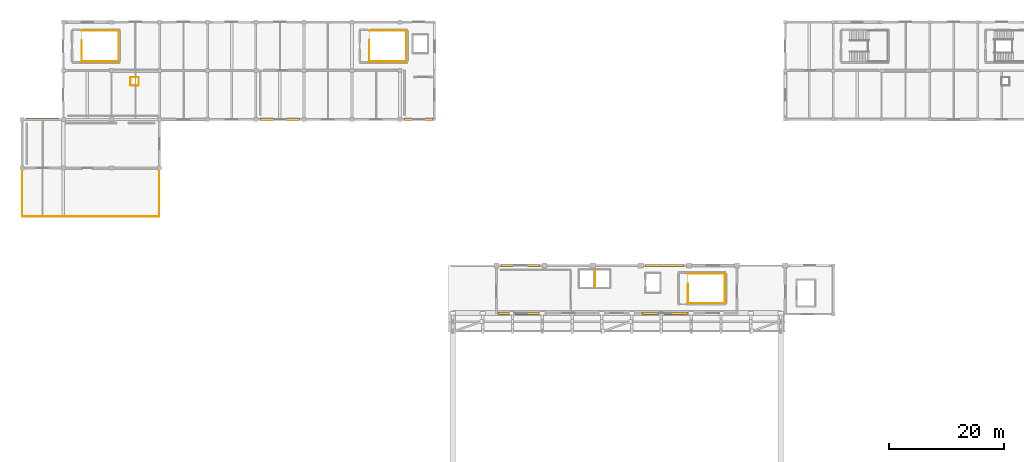
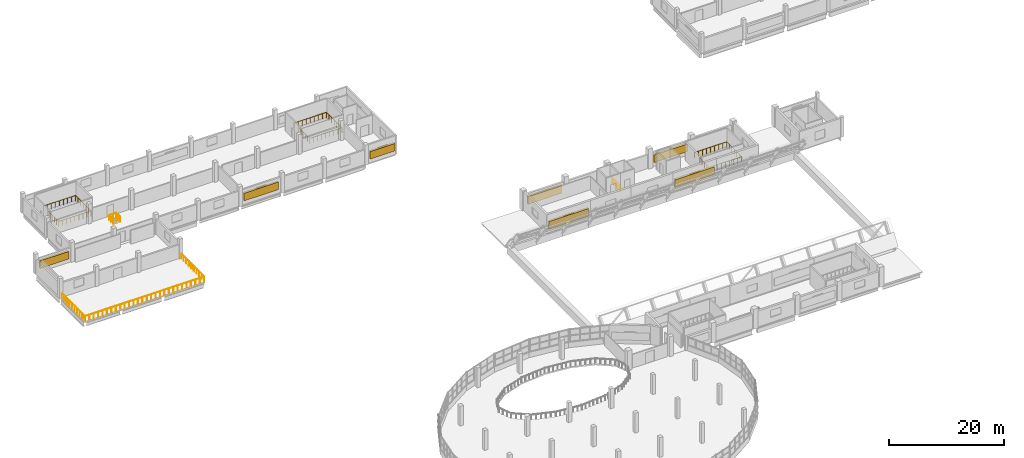
# One storey, part 49 of 52: 7 coverings, 7 railings.
"""IFC4 building model written with IfcOpenShell, lengths in metres."""

import ifcopenshell
import ifcopenshell.guid

model = None  # the IFC model being written
_history = None  # IfcOwnerHistory: only IFC2X3 demands one
_inside = {}  # id of a spatial element -> (the spatial element, [elements in it])
_under = {}  # id of a project, library or spatial element -> (it, [spatial elements below it])
_declared = {}  # id of a project -> (the project, [libraries it declares])
_typed = {}  # id of a type object -> (the type object, [elements of that type])
_made_of = {}  # id of a material, layer set ... -> (it, [elements and type objects made of it])


def new_model(schema):
    """Start an empty IFC model of exactly this schema.

    Asked for "IFC4X3", IfcOpenShell would pick the latest addendum, in which some entities
    have other attributes; the version numbers below select the first issue.
    IFC2X3 requires an IfcOwnerHistory on every rooted entity: one is made here for all.
    """
    global model, _history
    if schema == "IFC4X3":
        model = ifcopenshell.file(schema_version=(4, 3, 0, 0))
    else:
        model = ifcopenshell.file(schema=schema)
    _inside.clear()
    _under.clear()
    _declared.clear()
    _typed.clear()
    _made_of.clear()
    _history = None
    if model.schema == "IFC2X3":
        org = make("IfcOrganization", Name="unknown")
        user = make(
            "IfcPersonAndOrganization",
            ThePerson=make("IfcPerson", FamilyName="unknown"),
            TheOrganization=org,
        )
        app = make(
            "IfcApplication",
            ApplicationDeveloper=org,
            Version="unknown",
            ApplicationFullName="unknown",
            ApplicationIdentifier="unknown",
        )
        _history = make(
            "IfcOwnerHistory",
            OwningUser=user,
            OwningApplication=app,
            ChangeAction="ADDED",
            CreationDate=0,
        )
    return model


def make(cls, **values):
    """One entity of the class cls with the attributes given. An attribute that is None is left unset."""
    return model.create_entity(
        cls, **{name: value for name, value in values.items() if value is not None}
    )


def rooted(cls, **values):
    """An entity with a GlobalId (a new one), such as an element, a storey or a relation."""
    return make(cls, GlobalId=ifcopenshell.guid.new(), OwnerHistory=_history, **values)


def si_unit(unit_type, name, prefix=None):
    """IfcSIUnit, for example si_unit("LENGTHUNIT", "METRE", prefix="MILLI")."""
    return make("IfcSIUnit", UnitType=unit_type, Prefix=prefix, Name=name)


def assignment(units):
    """IfcUnitAssignment: the units of a project."""
    return None if units is None else make("IfcUnitAssignment", Units=units)


def point(xyz):
    """IfcCartesianPoint."""
    return None if xyz is None else make("IfcCartesianPoint", Coordinates=xyz)


def direction(xyz):
    """IfcDirection."""
    return None if xyz is None else make("IfcDirection", DirectionRatios=xyz)


def frame(location, z_axis=None, x_axis=None):
    """IfcAxis2Placement3D, a coordinate frame: its origin and axes. An axis left out is left unset."""
    return make(
        "IfcAxis2Placement3D",
        Location=point(location),
        Axis=direction(z_axis),
        RefDirection=direction(x_axis),
    )


def frame_2d(location, x_axis=None):
    """IfcAxis2Placement2D, a coordinate frame in the plane: its origin and x axis."""
    return make(
        "IfcAxis2Placement2D", Location=point(location), RefDirection=direction(x_axis)
    )


def origin():
    """The frame at (0, 0, 0) with its axes left unset."""
    return frame((0.0, 0.0, 0.0))


def origin_2d():
    """The frame at (0, 0) in the plane with its x axis left unset."""
    return frame_2d((0.0, 0.0))


def place(relative_to, where):
    """IfcLocalPlacement: puts the frame where relative to a parent placement (None: the world)."""
    return make(
        "IfcLocalPlacement", PlacementRelTo=relative_to, RelativePlacement=where
    )


def context(
    kind, dimensions, precision=None, world=None, true_north=None, identifier=None
):
    """IfcGeometricRepresentationContext, for example the 3D "Model" context."""
    return make(
        "IfcGeometricRepresentationContext",
        ContextIdentifier=identifier,
        ContextType=kind,
        CoordinateSpaceDimension=dimensions,
        Precision=precision,
        WorldCoordinateSystem=world,
        TrueNorth=true_north,
    )


def subcontext(parent, identifier, kind, view, scale=None):
    """IfcGeometricRepresentationSubContext, for example "Body" below "Model"."""
    return make(
        "IfcGeometricRepresentationSubContext",
        ContextIdentifier=identifier,
        ContextType=kind,
        ParentContext=parent,
        TargetScale=scale,
        TargetView=view,
    )


def project(units=None, contexts=None):
    """IfcProject with its units and contexts."""
    return rooted(
        "IfcProject",
        Name="project",
        RepresentationContexts=contexts,
        UnitsInContext=assignment(units),
    )


def spatial(cls, under=None, at=None, **own):
    """A site, building, storey or space (cls), placed at a placement, below another one or the project."""
    s = rooted(cls, ObjectPlacement=at, **own)
    if under is not None:
        _under.setdefault(under.id(), (under, []))[1].append(s)
    return s


def profile(cls, at=None, kind="AREA", **sizes):
    """A parametric profile (cls). Its sizes go by their IFC names, for example OverallWidth=200.0."""
    return make(cls, ProfileType=kind, Position=at, **sizes)


def rectangle(**sizes):
    """IfcRectangleProfileDef."""
    return profile("IfcRectangleProfileDef", **sizes)


def circle(**sizes):
    """IfcCircleProfileDef."""
    return profile("IfcCircleProfileDef", **sizes)


def extrude(swept, where, along, depth):
    """IfcExtrudedAreaSolid: the profile swept, set in the frame where, extruded along a direction by depth."""
    return make(
        "IfcExtrudedAreaSolid",
        SweptArea=swept,
        Position=where,
        ExtrudedDirection=direction(along),
        Depth=depth,
    )


def shape(context_of_items, identifier, shape_type, items):
    """IfcShapeRepresentation: the items that make up one representation, for example the "Body"."""
    return make(
        "IfcShapeRepresentation",
        ContextOfItems=context_of_items,
        RepresentationIdentifier=identifier,
        RepresentationType=shape_type,
        Items=items,
    )


def material(Name=None, Category=None):
    """IfcMaterial."""
    return make("IfcMaterial", Name=Name, Category=Category)


def layer(
    of_material, thickness, ventilated=None, Name=None, Category=None, Priority=None
):
    """IfcMaterialLayer: one layer of a wall or slab, of a material (None: an air gap)."""
    return make(
        "IfcMaterialLayer",
        Material=of_material,
        LayerThickness=thickness,
        IsVentilated=ventilated,
        Name=Name,
        Category=Category,
        Priority=Priority,
    )


def layer_set(layers, Name=None):
    """IfcMaterialLayerSet."""
    return make("IfcMaterialLayerSet", MaterialLayers=layers, LayerSetName=Name)


def made_of(thing, what):
    """Note that an element or type object is made of a material, layer set ...; save() writes the relation."""
    if what is not None:
        _made_of.setdefault(what.id(), (what, []))[1].append(thing)
    return thing


def type_object(cls, material=None, **own):
    """A type object (cls), such as IfcWallType, which elements share."""
    return made_of(rooted(cls, **own), material)


def element(
    cls,
    number,
    at=None,
    inside=None,
    cuts=None,
    type_object=None,
    material=None,
    context=None,
    identifier="Body",
    shape_type=None,
    held_by="IfcProductDefinitionShape",
    body=None,
    shapes=None,
    **own,
):
    """One element of the class cls, such as IfcWall. Its Tag is "e" and its number.

    at: its placement. inside: the storey or other place that contains it. cuts: it is an
    opening in that element (IfcRelVoidsElement). A single representation is given by context,
    identifier, shape_type and body (its items); several are given by shapes. held_by: the class
    of the entity that holds the representations. save() writes the other relations.
    """
    e = rooted(cls, Tag="e%d" % number, ObjectPlacement=at, **own)
    if body is not None:
        shapes = [shape(context, identifier, shape_type, body)]
    if shapes is not None:
        e.Representation = make(held_by, Representations=shapes)
    if inside is not None:
        _inside.setdefault(inside.id(), (inside, []))[1].append(e)
    if cuts is not None:
        rooted(
            "IfcRelVoidsElement", RelatingBuildingElement=cuts, RelatedOpeningElement=e
        )
    if type_object is not None:
        _typed.setdefault(type_object.id(), (type_object, []))[1].append(e)
    return made_of(e, material)


def aggregate(whole, parts):
    """IfcRelAggregates: a whole, such as a stair, and the parts it consists of."""
    return rooted("IfcRelAggregates", RelatingObject=whole, RelatedObjects=parts)


def save(model, path):
    """Write the relations noted so far, then the file.

    IfcRelAggregates (storeys below a building ...), IfcRelContainedInSpatialStructure (elements
    in a storey), IfcRelDefinesByType, IfcRelAssociatesMaterial and IfcRelDeclares: one each for
    every whole, place, type object, material and project.
    """
    for whole, parts in _under.values():
        aggregate(whole, parts)
    for where, things in _inside.values():
        rooted(
            "IfcRelContainedInSpatialStructure",
            RelatedElements=things,
            RelatingStructure=where,
        )
    for kind, things in _typed.values():
        rooted("IfcRelDefinesByType", RelatedObjects=things, RelatingType=kind)
    for what, things in _made_of.values():
        rooted("IfcRelAssociatesMaterial", RelatedObjects=things, RelatingMaterial=what)
    for by, libraries in _declared.values():
        rooted("IfcRelDeclares", RelatingContext=by, RelatedDefinitions=libraries)
    model.write(path)


model = new_model("IFC4")

# Units and contexts
model_context = context("Model", 3, precision=1e-05, world=origin(), true_north=direction((0.0, 1.0)))
body_context = subcontext(model_context, "Body", "Model", "MODEL_VIEW")
ifc_project = project(units=[si_unit("LENGTHUNIT", "METRE"), si_unit("AREAUNIT", "SQUARE_METRE"), si_unit("VOLUMEUNIT", "CUBIC_METRE"), si_unit("PLANEANGLEUNIT", "RADIAN"), si_unit("MASSUNIT", "GRAM", prefix="KILO")], contexts=[model_context])

# Site, building, storey
site_placement = place(None, origin())
site = spatial("IfcSite", under=ifc_project, at=site_placement, CompositionType="ELEMENT")
building_placement = place(site_placement, origin())
building = spatial("IfcBuilding", under=site, at=building_placement, Name="Solvento Point Concert Hall", CompositionType="ELEMENT")
storey_placement = place(building_placement, frame((0.0, 0.0, 19.5)))
storey = spatial("IfcBuildingStorey", under=building, at=storey_placement, Name="L04", CompositionType="ELEMENT", Elevation=19.5)

# Railings
ifc_material_1 = material(Name="Brushed Stainless Steel Balustrade", Category="steel")
railing_type_1 = type_object("IfcRailingType", Name="StairWellGuard_1100", PredefinedType="BALUSTRADE", material=ifc_material_1)
railing_1_placement = place(storey_placement, frame((116.219970703125, 90.340087890625, 0.0)))
element("IfcRailing", 1, at=railing_1_placement, inside=storey, type_object=railing_type_1, Name="Stairwell guard GR-02 ST-03 L04", PredefinedType="BALUSTRADE", context=body_context, shape_type="SweptSolid", body=[
    extrude(circle(Radius=0.02392578125, at=origin_2d()), frame((0.0, 0.0, 1.09619140625), z_axis=(0.0, -1.0, 0.0), x_axis=(1.0, 0.0, 0.0)), (0.0, 0.0, 1.0), 3.420166015625),
    extrude(circle(Radius=0.02392578125, at=origin_2d()), frame((0.0, -3.420166015625, 1.09619140625), z_axis=(1.0, 0.0, 0.0), x_axis=(0.0, 1.0, 0.0)), (0.0, 0.0, 1.0), 6.4599609375),
    extrude(circle(Radius=0.02392578125, at=origin_2d()), frame((6.4599609375, -3.420166015625, 1.09619140625), z_axis=(0.0, 1.0, 0.0), x_axis=(-1.0, 0.0, 0.0)), (0.0, 0.0, 1.0), 5.16015625),
    extrude(circle(Radius=0.02392578125, at=origin_2d()), frame((6.4599609375, 1.739990234375, 1.09619140625), z_axis=(-1.0, 0.0, 0.0), x_axis=(0.0, -1.0, 0.0)), (0.0, 0.0, 1.0), 6.4599609375),
    extrude(circle(Radius=0.02392578125, at=origin_2d()), frame((0.0, 1.739990234375, 1.09619140625), z_axis=(0.0, 1.0, 0.0), x_axis=(-1.0, 0.0, 0.0)), (0.0, 0.0, 1.0), 0.02001953125),
    extrude(circle(Radius=0.02099609375, at=origin_2d()), origin(), (0.0, 0.0, 1.0), 1.072021484375),
    extrude(circle(Radius=0.02099609375, at=origin_2d()), frame((0.0, -0.85498046875, 0.0)), (0.0, 0.0, 1.0), 1.072021484375),
    extrude(circle(Radius=0.02099609375, at=origin_2d()), frame((0.0, -1.7099609375, 0.0)), (0.0, 0.0, 1.0), 1.072021484375),
    extrude(circle(Radius=0.02099609375, at=origin_2d()), frame((0.0, -2.565185546875, 0.0)), (0.0, 0.0, 1.0), 1.072021484375),
    extrude(circle(Radius=0.02099609375, at=origin_2d()), frame((0.0, -3.420166015625, 0.0)), (0.0, 0.0, 1.0), 1.072021484375),
    extrude(circle(Radius=0.02099609375, at=origin_2d()), frame((0.8076171875, -3.420166015625, 0.0)), (0.0, 0.0, 1.0), 1.072021484375),
    extrude(circle(Radius=0.02099609375, at=origin_2d()), frame((1.614990234375, -3.420166015625, 0.0)), (0.0, 0.0, 1.0), 1.072021484375),
    extrude(circle(Radius=0.02099609375, at=origin_2d()), frame((2.42236328125, -3.420166015625, 0.0)), (0.0, 0.0, 1.0), 1.072021484375),
    extrude(circle(Radius=0.02099609375, at=origin_2d()), frame((3.22998046875, -3.420166015625, 0.0)), (0.0, 0.0, 1.0), 1.072021484375),
    extrude(circle(Radius=0.02099609375, at=origin_2d()), frame((4.03759765625, -3.420166015625, 0.0)), (0.0, 0.0, 1.0), 1.072021484375),
    extrude(circle(Radius=0.02099609375, at=origin_2d()), frame((4.844970703125, -3.420166015625, 0.0)), (0.0, 0.0, 1.0), 1.072021484375),
    extrude(circle(Radius=0.02099609375, at=origin_2d()), frame((5.65234375, -3.420166015625, 0.0)), (0.0, 0.0, 1.0), 1.072021484375),
    extrude(circle(Radius=0.02099609375, at=origin_2d()), frame((6.4599609375, -3.420166015625, 0.0)), (0.0, 0.0, 1.0), 1.072021484375),
    extrude(circle(Radius=0.02099609375, at=origin_2d()), frame((6.4599609375, -2.56005859375, 0.0)), (0.0, 0.0, 1.0), 1.072021484375),
    extrude(circle(Radius=0.02099609375, at=origin_2d()), frame((6.4599609375, -1.7001953125, 0.0)), (0.0, 0.0, 1.0), 1.072021484375),
    extrude(circle(Radius=0.02099609375, at=origin_2d()), frame((6.4599609375, -0.840087890625, 0.0)), (0.0, 0.0, 1.0), 1.072021484375),
    extrude(circle(Radius=0.02099609375, at=origin_2d()), frame((6.4599609375, 0.02001953125, 0.0)), (0.0, 0.0, 1.0), 1.072021484375),
    extrude(circle(Radius=0.02099609375, at=origin_2d()), frame((6.4599609375, 0.8798828125, 0.0)), (0.0, 0.0, 1.0), 1.072021484375),
    extrude(circle(Radius=0.02099609375, at=origin_2d()), frame((6.4599609375, 1.739990234375, 0.0)), (0.0, 0.0, 1.0), 1.072021484375),
    extrude(circle(Radius=0.02099609375, at=origin_2d()), frame((5.65234375, 1.739990234375, 0.0)), (0.0, 0.0, 1.0), 1.072021484375),
    extrude(circle(Radius=0.02099609375, at=origin_2d()), frame((4.844970703125, 1.739990234375, 0.0)), (0.0, 0.0, 1.0), 1.072021484375),
    extrude(circle(Radius=0.02099609375, at=origin_2d()), frame((4.03759765625, 1.739990234375, 0.0)), (0.0, 0.0, 1.0), 1.072021484375),
    extrude(circle(Radius=0.02099609375, at=origin_2d()), frame((3.22998046875, 1.739990234375, 0.0)), (0.0, 0.0, 1.0), 1.072021484375),
    extrude(circle(Radius=0.02099609375, at=origin_2d()), frame((2.42236328125, 1.739990234375, 0.0)), (0.0, 0.0, 1.0), 1.072021484375),
    extrude(circle(Radius=0.02099609375, at=origin_2d()), frame((1.614990234375, 1.739990234375, 0.0)), (0.0, 0.0, 1.0), 1.072021484375),
    extrude(circle(Radius=0.02099609375, at=origin_2d()), frame((0.8076171875, 1.739990234375, 0.0)), (0.0, 0.0, 1.0), 1.072021484375),
    extrude(circle(Radius=0.02099609375, at=origin_2d()), frame((0.0, 1.739990234375, 0.0)), (0.0, 0.0, 1.0), 1.072021484375),
    extrude(circle(Radius=0.02099609375, at=origin_2d()), frame((0.0, 1.760009765625, 0.0)), (0.0, 0.0, 1.0), 1.072021484375),
])
railing_2_placement = place(storey_placement, frame((60.6201171875, 132.89990234375, 0.0)))
element("IfcRailing", 2, at=railing_2_placement, inside=storey, type_object=railing_type_1, Name="Stairwell guard GR-02 ST-04 L04", PredefinedType="BALUSTRADE", context=body_context, shape_type="SweptSolid", body=[
    extrude(circle(Radius=0.02392578125, at=origin_2d()), frame((0.0, 0.0, 1.09619140625), z_axis=(0.0, -1.0, 0.0), x_axis=(1.0, 0.0, 0.0)), (0.0, 0.0, 1.0), 3.77978515625),
    extrude(circle(Radius=0.02392578125, at=origin_2d()), frame((0.0, -3.77978515625, 1.09619140625), z_axis=(1.0, 0.0, 0.0), x_axis=(0.0, 1.0, 0.0)), (0.0, 0.0, 1.0), 6.4599609375),
    extrude(circle(Radius=0.02392578125, at=origin_2d()), frame((6.4599609375, -3.77978515625, 1.09619140625), z_axis=(0.0, 1.0, 0.0), x_axis=(-1.0, 0.0, 0.0)), (0.0, 0.0, 1.0), 5.35986328125),
    extrude(circle(Radius=0.02392578125, at=origin_2d()), frame((6.4599609375, 1.580078125, 1.09619140625), z_axis=(-1.0, 0.0, 0.0), x_axis=(0.0, -1.0, 0.0)), (0.0, 0.0, 1.0), 6.4599609375),
    extrude(circle(Radius=0.02392578125, at=origin_2d()), frame((0.0, 1.580078125, 1.09619140625), z_axis=(0.0, 1.0, 0.0), x_axis=(-1.0, 0.0, 0.0)), (0.0, 0.0, 1.0), 0.02001953125),
    extrude(circle(Radius=0.02099609375, at=origin_2d()), origin(), (0.0, 0.0, 1.0), 1.072021484375),
    extrude(circle(Radius=0.02099609375, at=origin_2d()), frame((0.0, -0.755859375, 0.0)), (0.0, 0.0, 1.0), 1.072021484375),
    extrude(circle(Radius=0.02099609375, at=origin_2d()), frame((0.0, -1.511962890625, 0.0)), (0.0, 0.0, 1.0), 1.072021484375),
    extrude(circle(Radius=0.02099609375, at=origin_2d()), frame((0.0, -2.267822265625, 0.0)), (0.0, 0.0, 1.0), 1.072021484375),
    extrude(circle(Radius=0.02099609375, at=origin_2d()), frame((0.0, -3.02392578125, 0.0)), (0.0, 0.0, 1.0), 1.072021484375),
    extrude(circle(Radius=0.02099609375, at=origin_2d()), frame((0.0, -3.77978515625, 0.0)), (0.0, 0.0, 1.0), 1.072021484375),
    extrude(circle(Radius=0.02099609375, at=origin_2d()), frame((0.8076171875, -3.77978515625, 0.0)), (0.0, 0.0, 1.0), 1.072021484375),
    extrude(circle(Radius=0.02099609375, at=origin_2d()), frame((1.614990234375, -3.77978515625, 0.0)), (0.0, 0.0, 1.0), 1.072021484375),
    extrude(circle(Radius=0.02099609375, at=origin_2d()), frame((2.42236328125, -3.77978515625, 0.0)), (0.0, 0.0, 1.0), 1.072021484375),
    extrude(circle(Radius=0.02099609375, at=origin_2d()), frame((3.22998046875, -3.77978515625, 0.0)), (0.0, 0.0, 1.0), 1.072021484375),
    extrude(circle(Radius=0.02099609375, at=origin_2d()), frame((4.03759765625, -3.77978515625, 0.0)), (0.0, 0.0, 1.0), 1.072021484375),
    extrude(circle(Radius=0.02099609375, at=origin_2d()), frame((4.844970703125, -3.77978515625, 0.0)), (0.0, 0.0, 1.0), 1.072021484375),
    extrude(circle(Radius=0.02099609375, at=origin_2d()), frame((5.65234375, -3.77978515625, 0.0)), (0.0, 0.0, 1.0), 1.072021484375),
    extrude(circle(Radius=0.02099609375, at=origin_2d()), frame((6.4599609375, -3.77978515625, 0.0)), (0.0, 0.0, 1.0), 1.072021484375),
    extrude(circle(Radius=0.02099609375, at=origin_2d()), frame((6.4599609375, -2.886474609375, 0.0)), (0.0, 0.0, 1.0), 1.072021484375),
    extrude(circle(Radius=0.02099609375, at=origin_2d()), frame((6.4599609375, -1.9931640625, 0.0)), (0.0, 0.0, 1.0), 1.072021484375),
    extrude(circle(Radius=0.02099609375, at=origin_2d()), frame((6.4599609375, -1.099853515625, 0.0)), (0.0, 0.0, 1.0), 1.072021484375),
    extrude(circle(Radius=0.02099609375, at=origin_2d()), frame((6.4599609375, -0.20654296875, 0.0)), (0.0, 0.0, 1.0), 1.072021484375),
    extrude(circle(Radius=0.02099609375, at=origin_2d()), frame((6.4599609375, 0.686767578125, 0.0)), (0.0, 0.0, 1.0), 1.072021484375),
    extrude(circle(Radius=0.02099609375, at=origin_2d()), frame((6.4599609375, 1.580078125, 0.0)), (0.0, 0.0, 1.0), 1.072021484375),
    extrude(circle(Radius=0.02099609375, at=origin_2d()), frame((5.65234375, 1.580078125, 0.0)), (0.0, 0.0, 1.0), 1.072021484375),
    extrude(circle(Radius=0.02099609375, at=origin_2d()), frame((4.844970703125, 1.580078125, 0.0)), (0.0, 0.0, 1.0), 1.072021484375),
    extrude(circle(Radius=0.02099609375, at=origin_2d()), frame((4.03759765625, 1.580078125, 0.0)), (0.0, 0.0, 1.0), 1.072021484375),
    extrude(circle(Radius=0.02099609375, at=origin_2d()), frame((3.22998046875, 1.580078125, 0.0)), (0.0, 0.0, 1.0), 1.072021484375),
    extrude(circle(Radius=0.02099609375, at=origin_2d()), frame((2.42236328125, 1.580078125, 0.0)), (0.0, 0.0, 1.0), 1.072021484375),
    extrude(circle(Radius=0.02099609375, at=origin_2d()), frame((1.614990234375, 1.580078125, 0.0)), (0.0, 0.0, 1.0), 1.072021484375),
    extrude(circle(Radius=0.02099609375, at=origin_2d()), frame((0.8076171875, 1.580078125, 0.0)), (0.0, 0.0, 1.0), 1.072021484375),
    extrude(circle(Radius=0.02099609375, at=origin_2d()), frame((0.0, 1.580078125, 0.0)), (0.0, 0.0, 1.0), 1.072021484375),
    extrude(circle(Radius=0.02099609375, at=origin_2d()), frame((0.0, 1.60009765625, 0.0)), (0.0, 0.0, 1.0), 1.072021484375),
])
railing_3_placement = place(storey_placement, frame((10.419921875, 132.820068359375, 0.0)))
element("IfcRailing", 3, at=railing_3_placement, inside=storey, type_object=railing_type_1, Name="Stairwell guard GR-02 ST-05 L04", PredefinedType="BALUSTRADE", context=body_context, shape_type="SweptSolid", body=[
    extrude(circle(Radius=0.02392578125, at=origin_2d()), frame((0.0, 0.0, 1.09619140625), z_axis=(0.0, -1.0, 0.0), x_axis=(1.0, 0.0, 0.0)), (0.0, 0.0, 1.0), 3.699951171875),
    extrude(circle(Radius=0.02392578125, at=origin_2d()), frame((0.0, -3.699951171875, 1.09619140625), z_axis=(1.0, 0.0, 0.0), x_axis=(0.0, 1.0, 0.0)), (0.0, 0.0, 1.0), 6.4599609375),
    extrude(circle(Radius=0.02392578125, at=origin_2d()), frame((6.4599609375, -3.699951171875, 1.09619140625), z_axis=(0.0, 1.0, 0.0), x_axis=(-1.0, 0.0, 0.0)), (0.0, 0.0, 1.0), 5.35986328125),
    extrude(circle(Radius=0.02392578125, at=origin_2d()), frame((6.4599609375, 1.659912109375, 1.09619140625), z_axis=(-1.0, 0.0, 0.0), x_axis=(0.0, -1.0, 0.0)), (0.0, 0.0, 1.0), 6.4599609375),
    extrude(circle(Radius=0.02392578125, at=origin_2d()), frame((0.0, 1.659912109375, 1.09619140625), z_axis=(0.0, 1.0, 0.0), x_axis=(-1.0, 0.0, 0.0)), (0.0, 0.0, 1.0), 0.02001953125),
    extrude(circle(Radius=0.02099609375, at=origin_2d()), origin(), (0.0, 0.0, 1.0), 1.072021484375),
    extrude(circle(Radius=0.02099609375, at=origin_2d()), frame((0.0, -0.739990234375, 0.0)), (0.0, 0.0, 1.0), 1.072021484375),
    extrude(circle(Radius=0.02099609375, at=origin_2d()), frame((0.0, -1.47998046875, 0.0)), (0.0, 0.0, 1.0), 1.072021484375),
    extrude(circle(Radius=0.02099609375, at=origin_2d()), frame((0.0, -2.219970703125, 0.0)), (0.0, 0.0, 1.0), 1.072021484375),
    extrude(circle(Radius=0.02099609375, at=origin_2d()), frame((0.0, -2.9599609375, 0.0)), (0.0, 0.0, 1.0), 1.072021484375),
    extrude(circle(Radius=0.02099609375, at=origin_2d()), frame((0.0, -3.699951171875, 0.0)), (0.0, 0.0, 1.0), 1.072021484375),
    extrude(circle(Radius=0.02099609375, at=origin_2d()), frame((0.8076171875, -3.699951171875, 0.0)), (0.0, 0.0, 1.0), 1.072021484375),
    extrude(circle(Radius=0.02099609375, at=origin_2d()), frame((1.614990234375, -3.699951171875, 0.0)), (0.0, 0.0, 1.0), 1.072021484375),
    extrude(circle(Radius=0.02099609375, at=origin_2d()), frame((2.42236328125, -3.699951171875, 0.0)), (0.0, 0.0, 1.0), 1.072021484375),
    extrude(circle(Radius=0.02099609375, at=origin_2d()), frame((3.22998046875, -3.699951171875, 0.0)), (0.0, 0.0, 1.0), 1.072021484375),
    extrude(circle(Radius=0.02099609375, at=origin_2d()), frame((4.03759765625, -3.699951171875, 0.0)), (0.0, 0.0, 1.0), 1.072021484375),
    extrude(circle(Radius=0.02099609375, at=origin_2d()), frame((4.844970703125, -3.699951171875, 0.0)), (0.0, 0.0, 1.0), 1.072021484375),
    extrude(circle(Radius=0.02099609375, at=origin_2d()), frame((5.65234375, -3.699951171875, 0.0)), (0.0, 0.0, 1.0), 1.072021484375),
    extrude(circle(Radius=0.02099609375, at=origin_2d()), frame((6.4599609375, -3.699951171875, 0.0)), (0.0, 0.0, 1.0), 1.072021484375),
    extrude(circle(Radius=0.02099609375, at=origin_2d()), frame((6.4599609375, -2.806640625, 0.0)), (0.0, 0.0, 1.0), 1.072021484375),
    extrude(circle(Radius=0.02099609375, at=origin_2d()), frame((6.4599609375, -1.913330078125, 0.0)), (0.0, 0.0, 1.0), 1.072021484375),
    extrude(circle(Radius=0.02099609375, at=origin_2d()), frame((6.4599609375, -1.02001953125, 0.0)), (0.0, 0.0, 1.0), 1.072021484375),
    extrude(circle(Radius=0.02099609375, at=origin_2d()), frame((6.4599609375, -0.126708984375, 0.0)), (0.0, 0.0, 1.0), 1.072021484375),
    extrude(circle(Radius=0.02099609375, at=origin_2d()), frame((6.4599609375, 0.7666015625, 0.0)), (0.0, 0.0, 1.0), 1.072021484375),
    extrude(circle(Radius=0.02099609375, at=origin_2d()), frame((6.4599609375, 1.659912109375, 0.0)), (0.0, 0.0, 1.0), 1.072021484375),
    extrude(circle(Radius=0.02099609375, at=origin_2d()), frame((5.65234375, 1.659912109375, 0.0)), (0.0, 0.0, 1.0), 1.072021484375),
    extrude(circle(Radius=0.02099609375, at=origin_2d()), frame((4.844970703125, 1.659912109375, 0.0)), (0.0, 0.0, 1.0), 1.072021484375),
    extrude(circle(Radius=0.02099609375, at=origin_2d()), frame((4.03759765625, 1.659912109375, 0.0)), (0.0, 0.0, 1.0), 1.072021484375),
    extrude(circle(Radius=0.02099609375, at=origin_2d()), frame((3.22998046875, 1.659912109375, 0.0)), (0.0, 0.0, 1.0), 1.072021484375),
    extrude(circle(Radius=0.02099609375, at=origin_2d()), frame((2.42236328125, 1.659912109375, 0.0)), (0.0, 0.0, 1.0), 1.072021484375),
    extrude(circle(Radius=0.02099609375, at=origin_2d()), frame((1.614990234375, 1.659912109375, 0.0)), (0.0, 0.0, 1.0), 1.072021484375),
    extrude(circle(Radius=0.02099609375, at=origin_2d()), frame((0.8076171875, 1.659912109375, 0.0)), (0.0, 0.0, 1.0), 1.072021484375),
    extrude(circle(Radius=0.02099609375, at=origin_2d()), frame((0.0, 1.659912109375, 0.0)), (0.0, 0.0, 1.0), 1.072021484375),
    extrude(circle(Radius=0.02099609375, at=origin_2d()), frame((0.0, 1.679931640625, 0.0)), (0.0, 0.0, 1.0), 1.072021484375),
])

# Coverings
ifc_material_2 = material(Name="Precast concrete C45/55", Category="concrete")
ifc_layer = layer(ifc_material_2, 0.159912109375)
ifc_layer_set = layer_set([ifc_layer], Name="Precast concrete C45/55")
covering_type = type_object("IfcCoveringType", Name="StormScreen_Precast", PredefinedType="CLADDING", material=ifc_layer_set)
for number, where, z_axis, x_axis, name in (
    (4, (87.0, 93.5, 0.800048828125), (0.0, 0.0, 1.0), (1.0, 0.0, 0.0), "Perforated precast storm-baffle screen SCR-01"),
    (5, (112.199951171875, 93.5, 0.800048828125), (0.0, 0.0, 1.0), (1.0, 0.0, 0.0), "Perforated precast storm-baffle screen SCR-01"),
):
    element("IfcCovering", number, at=place(storey_placement, frame(where, z_axis=z_axis, x_axis=x_axis)), inside=storey, type_object=covering_type, Name=name, PredefinedType="CLADDING", context=body_context, shape_type="SweptSolid", body=[
        extrude(rectangle(XDim=6.739990234375, YDim=0.419921875, at=origin_2d()), origin(), (0.0, 0.0, 1.0), 1.60009765625),
    ])
for number, where, z_axis, x_axis, name in (
    (6, (87.0, 85.199951171875, 0.800048828125), (0.0, 0.0, 1.0), (-1.0, 0.0, 0.0), "Perforated precast storm-baffle screen SCR-01"),
    (7, (112.199951171875, 85.199951171875, 0.800048828125), (0.0, 0.0, 1.0), (-1.0, 0.0, 0.0), "Perforated precast storm-baffle screen SCR-01"),
):
    element("IfcCovering", number, at=place(storey_placement, frame(where, z_axis=z_axis, x_axis=x_axis)), inside=storey, type_object=covering_type, Name=name, PredefinedType="CLADDING", context=body_context, shape_type="SweptSolid", body=[
        extrude(rectangle(XDim=7.919921875, YDim=0.419921875, at=origin_2d()), origin(), (0.0, 0.0, 1.0), 1.60009765625),
    ])
covering_1_placement = place(storey_placement, frame((45.0, 119.0, 0.800048828125), z_axis=(0.0, 0.0, 1.0), x_axis=(-1.0, 0.0, 0.0)))
element("IfcCovering", 8, at=covering_1_placement, inside=storey, type_object=covering_type, Name="Perforated precast storm-baffle screen SCR-01", PredefinedType="CLADDING", context=body_context, shape_type="SweptSolid", body=[
    extrude(rectangle(XDim=6.93994140625, YDim=0.419921875, at=origin_2d()), origin(), (0.0, 0.0, 1.0), 1.60009765625),
])
covering_2_placement = place(storey_placement, frame((69.2451171875, 119.0, 0.800048828125), z_axis=(0.0, 0.0, 1.0), x_axis=(-1.0, 0.0, 0.0)))
element("IfcCovering", 9, at=covering_2_placement, inside=storey, type_object=covering_type, Name="Perforated precast storm-baffle screen SCR-01", PredefinedType="CLADDING", context=body_context, shape_type="SweptSolid", body=[
    extrude(rectangle(XDim=5.030029296875, YDim=0.419921875, at=origin_2d()), origin(), (0.0, 0.0, 1.0), 1.60009765625),
])
covering_3_placement = place(storey_placement, frame((3.60009765625, 119.0, 0.800048828125), z_axis=(0.0, 0.0, 1.0), x_axis=(1.0, 0.0, 0.0)))
element("IfcCovering", 10, at=covering_3_placement, inside=storey, type_object=covering_type, Name="Perforated precast storm-baffle screen SCR-01", PredefinedType="CLADDING", context=body_context, shape_type="SweptSolid", body=[
    extrude(rectangle(XDim=5.739990234375, YDim=0.419921875, at=origin_2d()), origin(), (0.0, 0.0, 1.0), 1.60009765625),
])

# Railings
ifc_material_3 = material(Name="Brushed Stainless Steel Balustrade", Category="steel")
railing_type_2 = type_object("IfcRailingType", Name="TerraceBalustrade_1100", PredefinedType="BALUSTRADE", material=ifc_material_3)
railing_4_placement = place(storey_placement, frame((100.06005859375, 92.610107421875, 0.0)))
element("IfcRailing", 11, at=railing_4_placement, inside=storey, type_object=railing_type_2, Name="Guard balustrade GR-01 L04", PredefinedType="BALUSTRADE", context=body_context, shape_type="SweptSolid", body=[
    extrude(circle(Radius=0.02392578125, at=origin_2d()), frame((0.0, 0.0, 1.09619140625), z_axis=(0.0, -1.0, 0.0), x_axis=(1.0, 0.0, 0.0)), (0.0, 0.0, 1.0), 2.820068359375),
    extrude(circle(Radius=0.02099609375, at=origin_2d()), origin(), (0.0, 0.0, 1.0), 1.072021484375),
    extrude(circle(Radius=0.02099609375, at=origin_2d()), frame((0.0, -0.705078125, 0.0)), (0.0, 0.0, 1.0), 1.072021484375),
    extrude(circle(Radius=0.02099609375, at=origin_2d()), frame((0.0, -1.41015625, 0.0)), (0.0, 0.0, 1.0), 1.072021484375),
    extrude(circle(Radius=0.02099609375, at=origin_2d()), frame((0.0, -2.114990234375, 0.0)), (0.0, 0.0, 1.0), 1.072021484375),
    extrude(circle(Radius=0.02099609375, at=origin_2d()), frame((0.0, -2.820068359375, 0.0)), (0.0, 0.0, 1.0), 1.072021484375),
])
railing_5_placement = place(storey_placement, frame((23.93994140625, 110.10009765625, 0.0)))
element("IfcRailing", 12, at=railing_5_placement, inside=storey, type_object=railing_type_2, Name="Guard balustrade GR-01 L04", PredefinedType="BALUSTRADE", context=body_context, shape_type="SweptSolid", body=[
    extrude(circle(Radius=0.02392578125, at=origin_2d()), frame((0.0, 0.0, 1.09619140625), z_axis=(0.0, -1.0, 0.0), x_axis=(1.0, 0.0, 0.0)), (0.0, 0.0, 1.0), 8.0400390625),
    extrude(circle(Radius=0.02392578125, at=origin_2d()), frame((0.0, -8.0400390625, 1.09619140625), z_axis=(-1.0, 0.0, 0.0), x_axis=(0.0, -1.0, 0.0)), (0.0, 0.0, 1.0), 23.8798828125),
    extrude(circle(Radius=0.02392578125, at=origin_2d()), frame((-23.8798828125, -8.0400390625, 1.09619140625), z_axis=(0.0, 1.0, 0.0), x_axis=(-1.0, 0.0, 0.0)), (0.0, 0.0, 1.0), 8.0400390625),
    extrude(circle(Radius=0.02099609375, at=origin_2d()), origin(), (0.0, 0.0, 1.0), 1.072021484375),
    extrude(circle(Radius=0.02099609375, at=origin_2d()), frame((0.0, -0.893310546875, 0.0)), (0.0, 0.0, 1.0), 1.072021484375),
    extrude(circle(Radius=0.02099609375, at=origin_2d()), frame((0.0, -1.78662109375, 0.0)), (0.0, 0.0, 1.0), 1.072021484375),
    extrude(circle(Radius=0.02099609375, at=origin_2d()), frame((0.0, -2.679931640625, 0.0)), (0.0, 0.0, 1.0), 1.072021484375),
    extrude(circle(Radius=0.02099609375, at=origin_2d()), frame((0.0, -3.5732421875, 0.0)), (0.0, 0.0, 1.0), 1.072021484375),
    extrude(circle(Radius=0.02099609375, at=origin_2d()), frame((0.0, -4.466796875, 0.0)), (0.0, 0.0, 1.0), 1.072021484375),
    extrude(circle(Radius=0.02099609375, at=origin_2d()), frame((0.0, -5.360107421875, 0.0)), (0.0, 0.0, 1.0), 1.072021484375),
    extrude(circle(Radius=0.02099609375, at=origin_2d()), frame((0.0, -6.25341796875, 0.0)), (0.0, 0.0, 1.0), 1.072021484375),
    extrude(circle(Radius=0.02099609375, at=origin_2d()), frame((0.0, -7.146728515625, 0.0)), (0.0, 0.0, 1.0), 1.072021484375),
    extrude(circle(Radius=0.02099609375, at=origin_2d()), frame((0.0, -8.0400390625, 0.0)), (0.0, 0.0, 1.0), 1.072021484375),
    extrude(circle(Radius=0.02099609375, at=origin_2d()), frame((-0.884521484375, -8.0400390625, 0.0)), (0.0, 0.0, 1.0), 1.072021484375),
    extrude(circle(Radius=0.02099609375, at=origin_2d()), frame((-1.768798828125, -8.0400390625, 0.0)), (0.0, 0.0, 1.0), 1.072021484375),
    extrude(circle(Radius=0.02099609375, at=origin_2d()), frame((-2.6533203125, -8.0400390625, 0.0)), (0.0, 0.0, 1.0), 1.072021484375),
    extrude(circle(Radius=0.02099609375, at=origin_2d()), frame((-3.537841796875, -8.0400390625, 0.0)), (0.0, 0.0, 1.0), 1.072021484375),
    extrude(circle(Radius=0.02099609375, at=origin_2d()), frame((-4.422119140625, -8.0400390625, 0.0)), (0.0, 0.0, 1.0), 1.072021484375),
    extrude(circle(Radius=0.02099609375, at=origin_2d()), frame((-5.306640625, -8.0400390625, 0.0)), (0.0, 0.0, 1.0), 1.072021484375),
    extrude(circle(Radius=0.02099609375, at=origin_2d()), frame((-6.191162109375, -8.0400390625, 0.0)), (0.0, 0.0, 1.0), 1.072021484375),
    extrude(circle(Radius=0.02099609375, at=origin_2d()), frame((-7.075439453125, -8.0400390625, 0.0)), (0.0, 0.0, 1.0), 1.072021484375),
    extrude(circle(Radius=0.02099609375, at=origin_2d()), frame((-7.9599609375, -8.0400390625, 0.0)), (0.0, 0.0, 1.0), 1.072021484375),
    extrude(circle(Radius=0.02099609375, at=origin_2d()), frame((-8.844482421875, -8.0400390625, 0.0)), (0.0, 0.0, 1.0), 1.072021484375),
    extrude(circle(Radius=0.02099609375, at=origin_2d()), frame((-9.728759765625, -8.0400390625, 0.0)), (0.0, 0.0, 1.0), 1.072021484375),
    extrude(circle(Radius=0.02099609375, at=origin_2d()), frame((-10.61328125, -8.0400390625, 0.0)), (0.0, 0.0, 1.0), 1.072021484375),
    extrude(circle(Radius=0.02099609375, at=origin_2d()), frame((-11.497802734375, -8.0400390625, 0.0)), (0.0, 0.0, 1.0), 1.072021484375),
    extrude(circle(Radius=0.02099609375, at=origin_2d()), frame((-12.382080078125, -8.0400390625, 0.0)), (0.0, 0.0, 1.0), 1.072021484375),
    extrude(circle(Radius=0.02099609375, at=origin_2d()), frame((-13.2666015625, -8.0400390625, 0.0)), (0.0, 0.0, 1.0), 1.072021484375),
    extrude(circle(Radius=0.02099609375, at=origin_2d()), frame((-14.151123046875, -8.0400390625, 0.0)), (0.0, 0.0, 1.0), 1.072021484375),
    extrude(circle(Radius=0.02099609375, at=origin_2d()), frame((-15.035400390625, -8.0400390625, 0.0)), (0.0, 0.0, 1.0), 1.072021484375),
    extrude(circle(Radius=0.02099609375, at=origin_2d()), frame((-15.919921875, -8.0400390625, 0.0)), (0.0, 0.0, 1.0), 1.072021484375),
    extrude(circle(Radius=0.02099609375, at=origin_2d()), frame((-16.804443359375, -8.0400390625, 0.0)), (0.0, 0.0, 1.0), 1.072021484375),
    extrude(circle(Radius=0.02099609375, at=origin_2d()), frame((-17.688720703125, -8.0400390625, 0.0)), (0.0, 0.0, 1.0), 1.072021484375),
    extrude(circle(Radius=0.02099609375, at=origin_2d()), frame((-18.5732421875, -8.0400390625, 0.0)), (0.0, 0.0, 1.0), 1.072021484375),
    extrude(circle(Radius=0.02099609375, at=origin_2d()), frame((-19.457763671875, -8.0400390625, 0.0)), (0.0, 0.0, 1.0), 1.072021484375),
    extrude(circle(Radius=0.02099609375, at=origin_2d()), frame((-20.342041015625, -8.0400390625, 0.0)), (0.0, 0.0, 1.0), 1.072021484375),
    extrude(circle(Radius=0.02099609375, at=origin_2d()), frame((-21.2265625, -8.0400390625, 0.0)), (0.0, 0.0, 1.0), 1.072021484375),
    extrude(circle(Radius=0.02099609375, at=origin_2d()), frame((-22.111083984375, -8.0400390625, 0.0)), (0.0, 0.0, 1.0), 1.072021484375),
    extrude(circle(Radius=0.02099609375, at=origin_2d()), frame((-22.995361328125, -8.0400390625, 0.0)), (0.0, 0.0, 1.0), 1.072021484375),
    extrude(circle(Radius=0.02099609375, at=origin_2d()), frame((-23.8798828125, -8.0400390625, 0.0)), (0.0, 0.0, 1.0), 1.072021484375),
    extrude(circle(Radius=0.02099609375, at=origin_2d()), frame((-23.8798828125, -7.146728515625, 0.0)), (0.0, 0.0, 1.0), 1.072021484375),
    extrude(circle(Radius=0.02099609375, at=origin_2d()), frame((-23.8798828125, -6.25341796875, 0.0)), (0.0, 0.0, 1.0), 1.072021484375),
    extrude(circle(Radius=0.02099609375, at=origin_2d()), frame((-23.8798828125, -5.360107421875, 0.0)), (0.0, 0.0, 1.0), 1.072021484375),
    extrude(circle(Radius=0.02099609375, at=origin_2d()), frame((-23.8798828125, -4.466796875, 0.0)), (0.0, 0.0, 1.0), 1.072021484375),
    extrude(circle(Radius=0.02099609375, at=origin_2d()), frame((-23.8798828125, -3.5732421875, 0.0)), (0.0, 0.0, 1.0), 1.072021484375),
    extrude(circle(Radius=0.02099609375, at=origin_2d()), frame((-23.8798828125, -2.679931640625, 0.0)), (0.0, 0.0, 1.0), 1.072021484375),
    extrude(circle(Radius=0.02099609375, at=origin_2d()), frame((-23.8798828125, -1.78662109375, 0.0)), (0.0, 0.0, 1.0), 1.072021484375),
    extrude(circle(Radius=0.02099609375, at=origin_2d()), frame((-23.8798828125, -0.893310546875, 0.0)), (0.0, 0.0, 1.0), 1.072021484375),
    extrude(circle(Radius=0.02099609375, at=origin_2d()), frame((-23.8798828125, 0.0, 0.0)), (0.0, 0.0, 1.0), 1.072021484375),
])
railing_6_placement = place(storey_placement, frame((20.360107421875, 124.969970703125, 0.0)))
element("IfcRailing", 13, at=railing_6_placement, inside=storey, type_object=railing_type_2, Name="Guard balustrade GR-01 L04", PredefinedType="BALUSTRADE", context=body_context, shape_type="SweptSolid", body=[
    extrude(circle(Radius=0.02392578125, at=origin_2d()), frame((0.0, 0.0, 1.09619140625), z_axis=(0.0, 1.0, 0.0), x_axis=(-1.0, 0.0, 0.0)), (0.0, 0.0, 1.0), 1.39013671875),
    extrude(circle(Radius=0.02392578125, at=origin_2d()), frame((0.0, 1.39013671875, 1.09619140625), z_axis=(-1.0, 0.0, 0.0), x_axis=(0.0, -1.0, 0.0)), (0.0, 0.0, 1.0), 1.39013671875),
    extrude(circle(Radius=0.02099609375, at=origin_2d()), origin(), (0.0, 0.0, 1.0), 1.072021484375),
    extrude(circle(Radius=0.02099609375, at=origin_2d()), frame((0.0, 0.695068359375, 0.0)), (0.0, 0.0, 1.0), 1.072021484375),
    extrude(circle(Radius=0.02099609375, at=origin_2d()), frame((0.0, 1.39013671875, 0.0)), (0.0, 0.0, 1.0), 1.072021484375),
    extrude(circle(Radius=0.02099609375, at=origin_2d()), frame((-0.695068359375, 1.39013671875, 0.0)), (0.0, 0.0, 1.0), 1.072021484375),
    extrude(circle(Radius=0.02099609375, at=origin_2d()), frame((-1.39013671875, 1.39013671875, 0.0)), (0.0, 0.0, 1.0), 1.072021484375),
])
railing_7_placement = place(storey_placement, frame((18.93994140625, 126.330078125, 0.0)))
element("IfcRailing", 14, at=railing_7_placement, inside=storey, type_object=railing_type_2, Name="Guard balustrade GR-01 L04", PredefinedType="BALUSTRADE", context=body_context, shape_type="SweptSolid", body=[
    extrude(circle(Radius=0.02392578125, at=origin_2d()), frame((0.0, 0.0, 1.09619140625), z_axis=(0.0, -1.0, 0.0), x_axis=(1.0, 0.0, 0.0)), (0.0, 0.0, 1.0), 1.39013671875),
    extrude(circle(Radius=0.02392578125, at=origin_2d()), frame((0.0, -1.39013671875, 1.09619140625), z_axis=(1.0, 0.0, 0.0), x_axis=(0.0, 1.0, 0.0)), (0.0, 0.0, 1.0), 1.39013671875),
    extrude(circle(Radius=0.02099609375, at=origin_2d()), origin(), (0.0, 0.0, 1.0), 1.072021484375),
    extrude(circle(Radius=0.02099609375, at=origin_2d()), frame((0.0, -0.695068359375, 0.0)), (0.0, 0.0, 1.0), 1.072021484375),
    extrude(circle(Radius=0.02099609375, at=origin_2d()), frame((0.0, -1.39013671875, 0.0)), (0.0, 0.0, 1.0), 1.072021484375),
    extrude(circle(Radius=0.02099609375, at=origin_2d()), frame((0.695068359375, -1.39013671875, 0.0)), (0.0, 0.0, 1.0), 1.072021484375),
    extrude(circle(Radius=0.02099609375, at=origin_2d()), frame((1.39013671875, -1.39013671875, 0.0)), (0.0, 0.0, 1.0), 1.072021484375),
])

save(model, "model.ifc")
